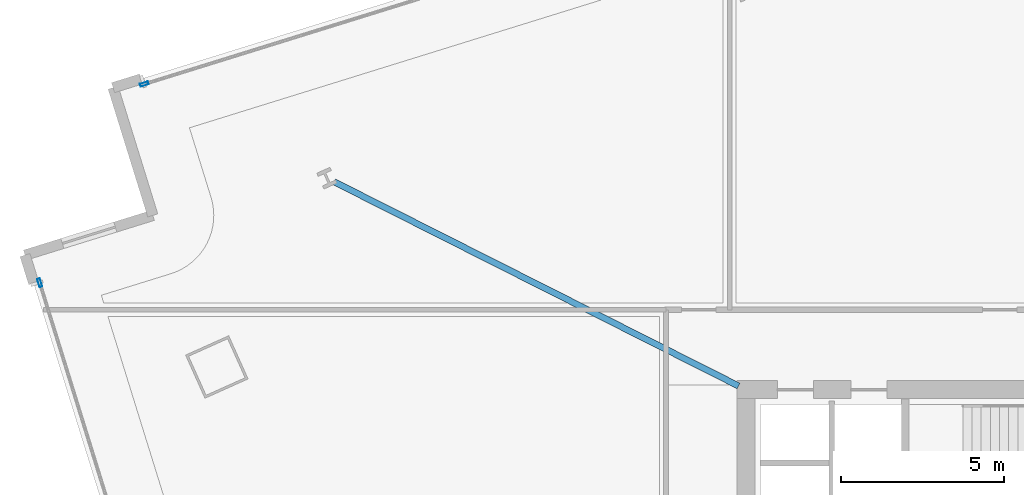
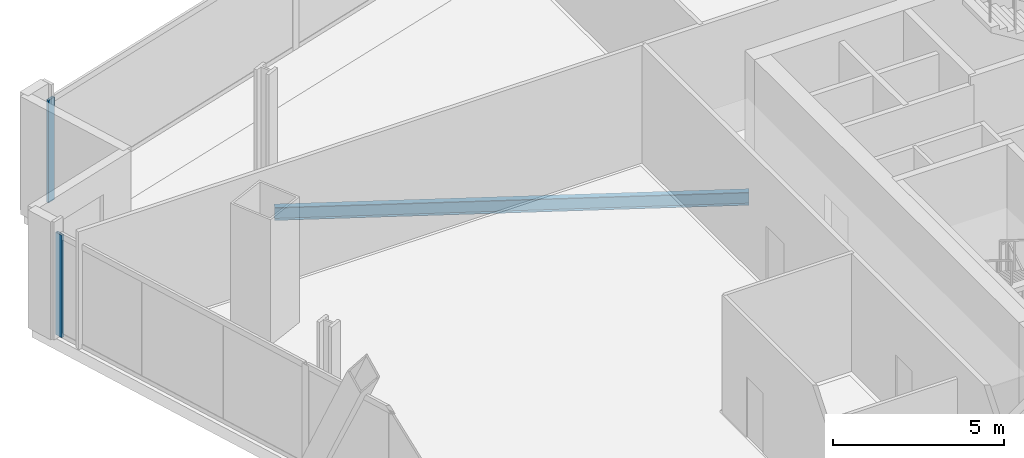
# One storey, part 10 of 26: 2 members, 1 beam, 2 elements without a shape of their own.
"""IFC4 building model written with IfcOpenShell, lengths in metres."""

from ifc_helpers import new_model, si_unit, direction, frame, origin, origin_2d, place, context, subcontext, project, spatial, hollow_rectangle, i_section, extrude, material, material_profile, profile_set, type_object, element, aggregate, save


model = new_model("IFC4")

# Units and contexts
model_context = context("Model", 3, precision=1e-05, world=origin(), true_north=direction((0.0, 1.0)))
body_context = subcontext(model_context, "Body", "Model", "MODEL_VIEW")
ifc_project = project(units=[si_unit("LENGTHUNIT", "METRE"), si_unit("AREAUNIT", "SQUARE_METRE"), si_unit("VOLUMEUNIT", "CUBIC_METRE"), si_unit("PLANEANGLEUNIT", "RADIAN"), si_unit("MASSUNIT", "GRAM", prefix="KILO")], contexts=[model_context])

# Site, building, storey
site_placement = place(None, origin())
site = spatial("IfcSite", under=ifc_project, at=site_placement, CompositionType="ELEMENT")
building_placement = place(site_placement, origin())
building = spatial("IfcBuilding", under=site, at=building_placement, Name="Haldenkirk Collegiate Tower", CompositionType="ELEMENT")
storey_placement = place(building_placement, frame((0.0, 0.0, 85.949951171875)))
storey = spatial("IfcBuildingStorey", under=building, at=storey_placement, Name="L20", CompositionType="ELEMENT", Elevation=85.949951171875)

# Beam
ifc_material_1 = material(Name="Steel ASTM A992 Grade 50", Category="steel")
ifc_material_profile_1 = material_profile(ifc_material_1, i_section(OverallWidth=0.19189453125, OverallDepth=0.462890625, WebThickness=0.010498046875, FlangeThickness=0.017578125, at=origin_2d()), Name="W18X60")
ifc_profile_set_1 = profile_set([ifc_material_profile_1], Name="Steel ASTM A992 Grade 50")
beam_type = type_object("IfcBeamType", Name="BM-JOIST-W18X60", PredefinedType="JOIST", material=ifc_profile_set_1)
beam_placement = place(storey_placement, frame((14.378662109375, 40.371337890625, -0.641357421875), z_axis=(0.892707841941, -0.450635893974, 0.0), x_axis=(0.450635893974, 0.892707841941, 0.0)))
element("IfcBeam", 1, at=beam_placement, inside=storey, type_object=beam_type, Name="L20 composite floor joist 13", PredefinedType="JOIST", context=body_context, shape_type="SweptSolid", body=[
    extrude(i_section(OverallWidth=0.19189453125, OverallDepth=0.462890625, WebThickness=0.010498046875, FlangeThickness=0.017578125, at=origin_2d()), origin(), (0.0, 0.0, 1.0), 13.88330078125),
])

# Curtain wall, member
ifc_material_2 = material(Name="Anodised architectural bronze aluminium", Category="aluminium")
curtain_wall_type = type_object("IfcCurtainWallType", Name="CW-SYS4-SKYGARDEN", PredefinedType="USERDEFINED", material=ifc_material_2)
curtain_wall_1_placement = place(storey_placement, origin())
curtain_wall_1 = element("IfcCurtainWall", 2, at=curtain_wall_1_placement, inside=storey, type_object=curtain_wall_type, Name="L20 Sky-garden tall bronze curtain wall", ObjectType="UNITISED CURTAIN WALL", PredefinedType="USERDEFINED")
ifc_material_profile_2 = material_profile(ifc_material_2, hollow_rectangle(XDim=0.090087890625, YDim=0.260009765625, WallThickness=0.0048828125, at=origin_2d()), Name="CW-MUL-04")
ifc_profile_set_2 = profile_set([ifc_material_profile_2], Name="Anodised architectural bronze aluminium")
member_type = type_object("IfcMemberType", Name="CW-MUL-04", PredefinedType="MULLION", material=ifc_profile_set_2)
member_1_placement = place(storey_placement, frame((8.5615234375, 43.364501953125, 0.0), z_axis=(0.0, 0.0, 1.0), x_axis=(-0.29654000631, 0.955020431539, 0.0)))
member_1 = element("IfcMember", 3, at=member_1_placement, type_object=member_type, Name="CW-04 mullion 1", PredefinedType="MULLION", context=body_context, shape_type="SweptSolid", body=[
    extrude(hollow_rectangle(XDim=0.090087890625, YDim=0.260009765625, WallThickness=0.0048828125, at=origin_2d()), origin(), (0.0, 0.0, 1.0), 3.651123046875),
])
aggregate(curtain_wall_1, [member_1])

curtain_wall_2_placement = place(storey_placement, origin())
curtain_wall_2 = element("IfcCurtainWall", 4, at=curtain_wall_2_placement, inside=storey, type_object=curtain_wall_type, Name="L20 Sky-garden tall bronze curtain wall", ObjectType="UNITISED CURTAIN WALL", PredefinedType="USERDEFINED")
member_2_placement = place(storey_placement, frame((5.358154296875, 37.275634765625, 0.0), z_axis=(0.0, 0.0, 1.0), x_axis=(-0.955020249653, -0.296540592082, 0.0)))
member_2 = element("IfcMember", 5, at=member_2_placement, type_object=member_type, Name="CW-04 mullion 5", PredefinedType="MULLION", context=body_context, shape_type="SweptSolid", body=[
    extrude(hollow_rectangle(XDim=0.090087890625, YDim=0.260009765625, WallThickness=0.0048828125, at=origin_2d()), origin(), (0.0, 0.0, 1.0), 3.651123046875),
])
aggregate(curtain_wall_2, [member_2])

save(model, "model.ifc")
